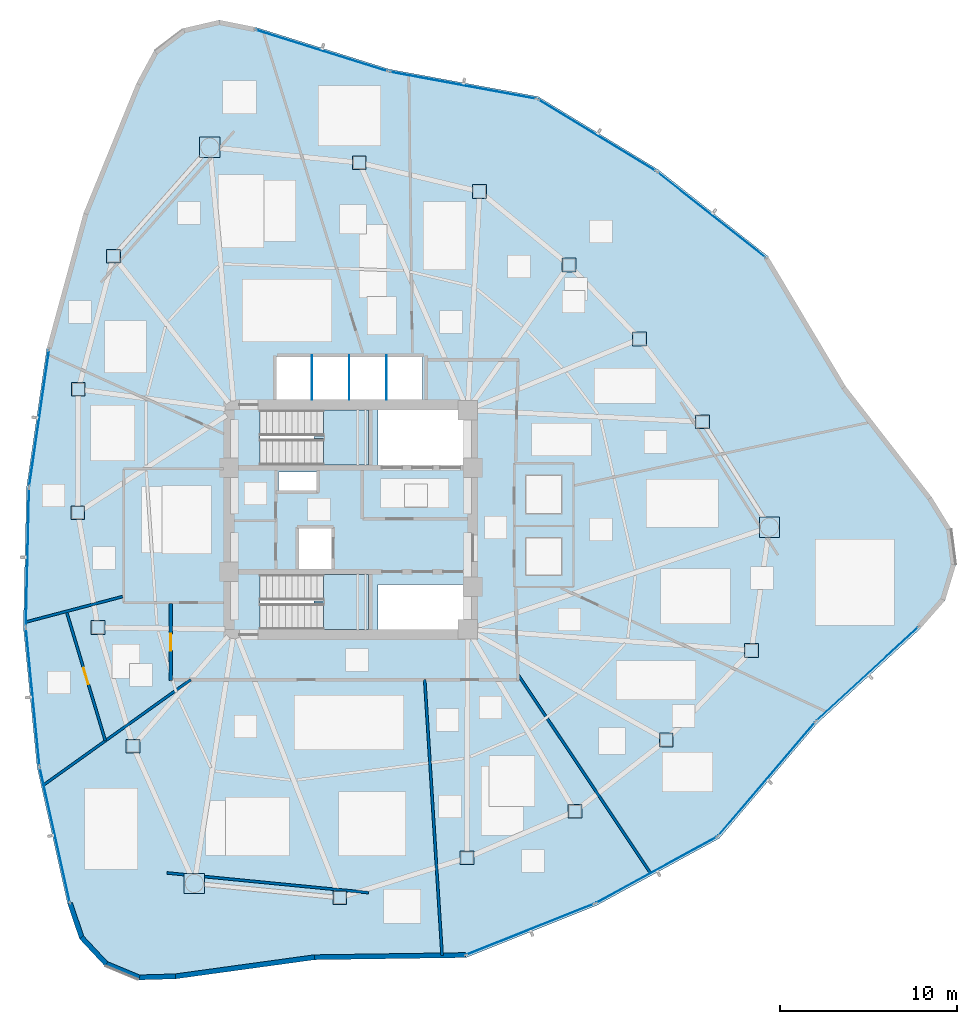
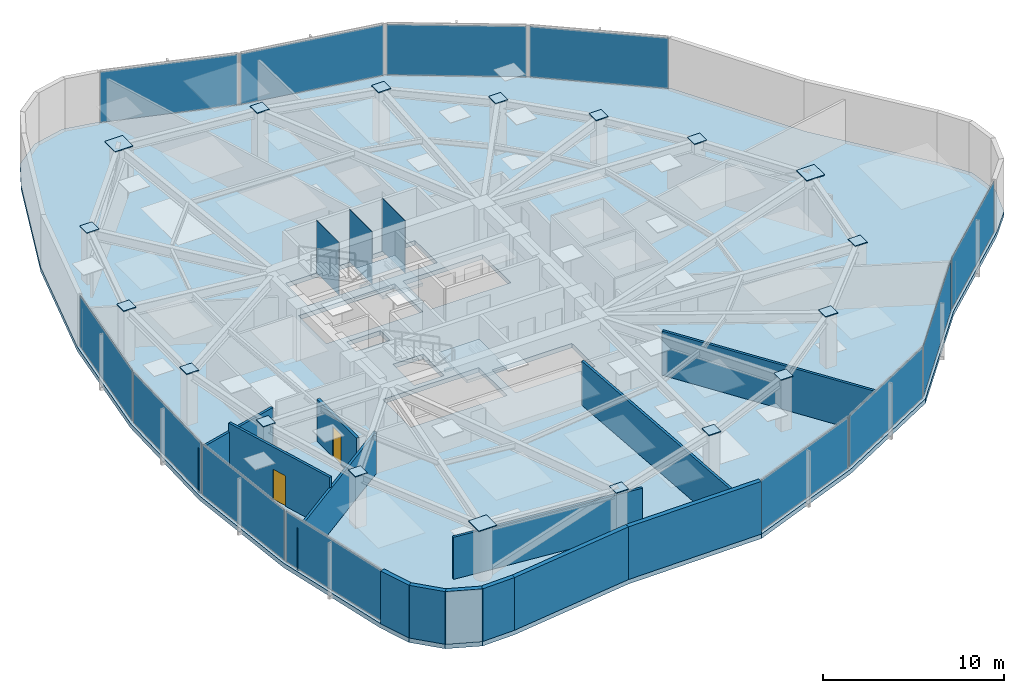
# One storey, part 10 of 16: 33 plates, 13 walls, 3 slabs, 2 doors, 2 openings, 14 elements without a shape of their own.
"""IFC4 building model written with IfcOpenShell, lengths in metres."""

from ifc_helpers import new_model, si_unit, direction, frame, frame_2d, origin, origin_2d, place, context, subcontext, project, spatial, polyline, rectangle, outline, extrude, source, transform, mapped, material, layer, layer_set, type_object, type_shapes, element, fill, aggregate, save


model = new_model("IFC4")

# Units and contexts
model_context = context("Model", 3, precision=1e-05, world=origin(), true_north=direction((0.0, 1.0)))
body_context = subcontext(model_context, "Body", "Model", "MODEL_VIEW")
ifc_project = project(units=[si_unit("LENGTHUNIT", "METRE"), si_unit("AREAUNIT", "SQUARE_METRE"), si_unit("VOLUMEUNIT", "CUBIC_METRE"), si_unit("PLANEANGLEUNIT", "RADIAN"), si_unit("MASSUNIT", "GRAM", prefix="KILO")], contexts=[model_context])

# Site, building, storey
site_placement = place(None, origin())
site = spatial("IfcSite", under=ifc_project, at=site_placement, CompositionType="ELEMENT")
building_placement = place(site_placement, origin())
building = spatial("IfcBuilding", under=site, at=building_placement, Name="Tavelor Broadcast Tower", CompositionType="ELEMENT")
storey_placement = place(building_placement, frame((0.0, 0.0, 138.699951171875)))
storey = spatial("IfcBuildingStorey", under=building, at=storey_placement, Name="L32", CompositionType="ELEMENT", Elevation=138.699951171875)

# Stair, slab
ifc_material_1 = material(Name="Concrete C40/50", Category="concrete")
stair_type = type_object("IfcStairType", Name="Reinforced Concrete Protected Dogleg Stair 1450 mm", PredefinedType="HALF_TURN_STAIR", material=ifc_material_1)
stair_1_placement = place(storey_placement, origin())
stair_1 = element("IfcStair", 1, at=stair_1_placement, inside=storey, type_object=stair_type, Name="L32 Protected Core Exit Stair ST1", PredefinedType="HALF_TURN_STAIR")
ifc_layer_1 = layer(ifc_material_1, 0.199951171875)
ifc_layer_set_1 = layer_set([ifc_layer_1], Name="Concrete C40/50")
slab_type_1 = type_object("IfcSlabType", Name="Reinforced Concrete Stair Half-Landing Slab 200 mm", PredefinedType="LANDING", material=ifc_layer_set_1)
slab_1_placement = place(storey_placement, frame((0.0, 0.0, 1.72509765625)))
slab_1 = element("IfcSlab", 2, at=slab_1_placement, type_object=slab_type_1, Name="ST1 landing 1", PredefinedType="LANDING", context=body_context, shape_type="SweptSolid", body=[
    extrude(outline(polyline([(48.445068359375, 49.590087890625), (48.445068359375, 48.094970703125), (51.0048828125, 48.094970703125), (51.0048828125, 51.205078125), (48.445068359375, 51.205078125), (48.445068359375, 49.7099609375), (47.905029296875, 49.7099609375), (47.905029296875, 49.590087890625), (48.445068359375, 49.590087890625)])), origin(), (0.0, 0.0, 1.0), 0.199951171875),
])
aggregate(stair_1, [slab_1])

stair_2_placement = place(storey_placement, origin())
stair_2 = element("IfcStair", 3, at=stair_2_placement, inside=storey, type_object=stair_type, Name="L32 Protected Core Exit Stair ST2", PredefinedType="HALF_TURN_STAIR")
slab_2_placement = place(storey_placement, frame((0.0, 0.0, 1.72509765625)))
slab_2 = element("IfcSlab", 4, at=slab_2_placement, type_object=slab_type_1, Name="ST2 landing 1", PredefinedType="LANDING", context=body_context, shape_type="SweptSolid", body=[
    extrude(outline(polyline([(48.445068359375, 40.2900390625), (48.445068359375, 38.794921875), (51.0048828125, 38.794921875), (51.0048828125, 41.905029296875), (48.445068359375, 41.905029296875), (48.445068359375, 40.409912109375), (47.905029296875, 40.409912109375), (47.905029296875, 40.2900390625), (48.445068359375, 40.2900390625)])), origin(), (0.0, 0.0, 1.0), 0.199951171875),
])
aggregate(stair_2, [slab_2])

# Slab
ifc_layer_2 = layer(ifc_material_1, 0.300048828125)
ifc_layer_set_2 = layer_set([ifc_layer_2], Name="Concrete C40/50")
slab_type_2 = type_object("IfcSlabType", Name="Tower Composite Floor Slab 300 mm", PredefinedType="FLOOR", material=ifc_layer_set_2)
slab_3_placement = place(storey_placement, frame((0.0, 0.0, -0.300048828125)))
element("IfcSlab", 5, at=slab_3_placement, inside=storey, type_object=slab_type_2, Name="L32 Structural Floor Slab", PredefinedType="FLOOR", context=body_context, shape_type="SweptSolid", body=[
    extrude(outline(polyline([(44.592529296875, 72.867919921875), (42.547607421875, 73.274658203125), (40.5166015625, 72.8037109375), (38.859130859375, 71.538818359375), (37.868896484375, 69.703857421875), (34.873291015625, 62.354736328125), (32.7890625, 54.697021484375), (31.64697265625, 46.843505859375), (31.46337890625, 38.9091796875), (32.241455078125, 31.01123046875), (33.969482421875, 23.265380859375), (34.6396484375, 21.291015625), (36.06298828125, 19.767578125), (37.9873046875, 18.964599609375), (40.0712890625, 19.024658203125), (47.93359375, 20.10498046875), (56.501708984375, 20.228515625), (63.874267578125, 23.166259765625), (70.837158203125, 26.974365234375), (76.393798828125, 33.497314453125), (82.23779296875, 38.86669921875), (83.61279296875, 40.434326171875), (84.220458984375, 42.4287109375), (83.953857421875, 44.49658203125), (82.859619140625, 46.271484375), (77.992919921875, 52.540283203125), (73.601806640625, 59.898681640625), (67.37158203125, 64.814697265625), (60.592041015625, 68.940673828125), (52.164794921875, 70.491455078125), (44.592529296875, 72.867919921875)]), holes=[polyline([(56.60009765625, 41.35009765625), (56.60009765625, 38.800048828125), (51.52001953125, 38.800048828125), (51.52001953125, 41.35009765625), (56.60009765625, 41.35009765625)]), polyline([(50.99609375, 38.803955078125), (44.85400390625, 38.803955078125), (44.85400390625, 41.89599609375), (50.99609375, 41.89599609375), (50.99609375, 38.803955078125)]), polyline([(47.050048828125, 42.199951171875), (47.050048828125, 44.550048828125), (48.949951171875, 44.550048828125), (48.949951171875, 42.199951171875), (47.050048828125, 42.199951171875)]), polyline([(48.050048828125, 46.64990234375), (45.89990234375, 46.64990234375), (45.89990234375, 47.699951171875), (48.050048828125, 47.699951171875), (48.050048828125, 46.64990234375)]), polyline([(50.99609375, 48.10400390625), (44.85400390625, 48.10400390625), (44.85400390625, 51.196044921875), (50.99609375, 51.196044921875), (50.99609375, 48.10400390625)]), polyline([(56.60009765625, 48.10009765625), (51.52001953125, 48.10009765625), (51.52001953125, 51.199951171875), (56.60009765625, 51.199951171875), (56.60009765625, 48.10009765625)]), polyline([(54.050048828125, 51.800048828125), (45.800048828125, 51.800048828125), (45.800048828125, 54.25), (54.050048828125, 54.25), (54.050048828125, 51.800048828125)])]), origin(), (0.0, 0.0, 1.0), 0.300048828125),
])

# Plates
ifc_material_2 = material(Name="Steel S460", Category="steel")
ifc_layer_3 = layer(ifc_material_2, 0.050048828125)
ifc_layer_set_3 = layer_set([ifc_layer_3], Name="Steel S460")
plate_type_1 = type_object("IfcPlateType", Name="Tube Hollow-End Cap Plate KN05 700x700x50", PredefinedType="USERDEFINED", material=ifc_layer_set_3)
shared_shape_1 = source(origin(), body_context, "Body", "SweptSolid", [
    extrude(rectangle(XDim=1.14697265625, YDim=1.14697265625, at=origin_2d()), origin(), (0.0, 0.0, 1.0), 0.054931640625),
])
for number, where, z_axis, x_axis, name in (
    (6, (42.01123046875, 66.080078125, 3.5224609375), (0.0, 0.0, 1.0), (1.0, 0.0, 0.0), "L32 Hollow End Cap Plate KN05 #909"),
    (7, (41.138671875, 24.423828125, 3.5224609375), (0.0, 0.0, 1.0), (1.0, 0.0, 0.0), "L32 Hollow End Cap Plate KN05 #915"),
    (8, (73.676025390625, 44.57958984375, 3.5224609375), (0.0, 0.0, 1.0), (1.0, 0.0, 0.0), "L32 Hollow End Cap Plate KN05 #921"),
):
    element("IfcPlate", number, at=place(storey_placement, frame(where, z_axis=z_axis, x_axis=x_axis)), inside=storey, type_object=plate_type_1, Name=name, ObjectType="CAP PLATE", PredefinedType="USERDEFINED", context=body_context, shape_type="MappedRepresentation", body=[
        mapped(shared_shape_1, transform((0.0, 0.0, 0.0), scale=1.0)),
    ])
shared_shape_2 = source(origin(), body_context, "Body", "SweptSolid", [
    extrude(rectangle(XDim=0.780029296875, YDim=0.780029296875, at=origin_2d()), origin(), (0.0, 0.0, 1.0), 0.054931640625),
])
type_shapes(plate_type_1, [shared_shape_1, shared_shape_2])
for number, where, z_axis, x_axis, name in (
    (9, (36.567626953125, 59.91064453125, 3.5224609375), (0.0, 0.0, 1.0), (1.0, 0.0, 0.0), "L32 Hollow End Cap Plate KN05 #910"),
    (10, (34.5751953125, 52.37939453125, 3.5224609375), (0.0, 0.0, 1.0), (1.0, 0.0, 0.0), "L32 Hollow End Cap Plate KN05 #911"),
    (11, (34.54638671875, 45.399169921875, 3.5224609375), (0.0, 0.0, 1.0), (1.0, 0.0, 0.0), "L32 Hollow End Cap Plate KN05 #912"),
    (12, (35.680908203125, 38.89990234375, 3.5224609375), (0.0, 0.0, 1.0), (1.0, 0.0, 0.0), "L32 Hollow End Cap Plate KN05 #913"),
    (13, (37.668212890625, 32.1904296875, 3.5224609375), (0.0, 0.0, 1.0), (1.0, 0.0, 0.0), "L32 Hollow End Cap Plate KN05 #914"),
    (14, (49.366455078125, 23.618896484375, 3.5224609375), (0.0, 0.0, 1.0), (1.0, 0.0, 0.0), "L32 Hollow End Cap Plate KN05 #916"),
    (15, (56.56103515625, 25.872802734375, 3.5224609375), (0.0, 0.0, 1.0), (1.0, 0.0, 0.0), "L32 Hollow End Cap Plate KN05 #917"),
    (16, (62.669189453125, 28.503173828125, 3.5224609375), (0.0, 0.0, 1.0), (1.0, 0.0, 0.0), "L32 Hollow End Cap Plate KN05 #918"),
    (17, (67.84228515625, 32.53173828125, 3.5224609375), (0.0, 0.0, 1.0), (1.0, 0.0, 0.0), "L32 Hollow End Cap Plate KN05 #919"),
    (18, (72.6591796875, 37.607421875, 3.5224609375), (0.0, 0.0, 1.0), (1.0, 0.0, 0.0), "L32 Hollow End Cap Plate KN05 #920"),
    (19, (69.885986328125, 50.544189453125, 3.5224609375), (0.0, 0.0, 1.0), (1.0, 0.0, 0.0), "L32 Hollow End Cap Plate KN05 #922"),
    (20, (66.322021484375, 55.228759765625, 3.5224609375), (0.0, 0.0, 1.0), (1.0, 0.0, 0.0), "L32 Hollow End Cap Plate KN05 #923"),
    (21, (62.330810546875, 59.416259765625, 3.5224609375), (0.0, 0.0, 1.0), (1.0, 0.0, 0.0), "L32 Hollow End Cap Plate KN05 #924"),
    (22, (57.276611328125, 63.568359375, 3.5224609375), (0.0, 0.0, 1.0), (1.0, 0.0, 0.0), "L32 Hollow End Cap Plate KN05 #925"),
    (23, (50.472412109375, 65.2021484375, 3.5224609375), (0.0, 0.0, 1.0), (1.0, 0.0, 0.0), "L32 Hollow End Cap Plate KN05 #926"),
):
    element("IfcPlate", number, at=place(storey_placement, frame(where, z_axis=z_axis, x_axis=x_axis)), inside=storey, type_object=plate_type_1, Name=name, ObjectType="CAP PLATE", PredefinedType="USERDEFINED", context=body_context, shape_type="MappedRepresentation", body=[
        mapped(shared_shape_2, transform((0.0, 0.0, 0.0), scale=1.0)),
    ])
ifc_material_3 = material(Name="Steel S355", Category="steel")
ifc_layer_4 = layer(ifc_material_3, 0.011962890625)
ifc_layer_set_4 = layer_set([ifc_layer_4], Name="Steel S355")
plate_type_2 = type_object("IfcPlateType", Name="Hoistway Steel Separator Screen 12 mm", PredefinedType="SHEET", material=ifc_layer_set_4)
shared_shape_3 = source(origin(), body_context, "Body", "SweptSolid", [
    extrude(rectangle(XDim=0.02001953125, YDim=2.52001953125, at=origin_2d()), origin(), (0.0, 0.0, 1.0), 3.550048828125),
])
type_shapes(plate_type_2, [shared_shape_3])
for number, where, z_axis, x_axis, name in (
    (24, (47.800048828125, 53.0400390625, 0.0), (0.0, 0.0, 1.0), (1.0, 0.0, 0.0), "L32 High-Rise Hoistway Separator Screen 1"),
    (25, (49.89990234375, 53.0400390625, 0.0), (0.0, 0.0, 1.0), (1.0, 0.0, 0.0), "L32 High-Rise Hoistway Separator Screen 2"),
    (26, (52.0, 53.0400390625, 0.0), (0.0, 0.0, 1.0), (1.0, 0.0, 0.0), "L32 High-Rise Hoistway Separator Screen 3"),
):
    element("IfcPlate", number, at=place(storey_placement, frame(where, z_axis=z_axis, x_axis=x_axis)), inside=storey, type_object=plate_type_2, Name=name, PredefinedType="SHEET", context=body_context, shape_type="MappedRepresentation", body=[
        mapped(shared_shape_3, transform((0.0, 0.0, 0.0), scale=1.0)),
    ])

# Curtain wall, plate
ifc_material_4 = material(Name="Architectural Anodized Aluminium", Category="aluminium")
ifc_layer_5 = layer(ifc_material_4, 0.18994140625)
ifc_layer_set_5 = layer_set([ifc_layer_5], Name="Architectural Anodized Aluminium")
curtain_wall_type = type_object("IfcCurtainWallType", Name="Tower Mid-Zone Acoustic Curtain Wall CW03", PredefinedType="NOTDEFINED", material=ifc_layer_set_5)
curtain_wall_1_placement = place(storey_placement, origin())
curtain_wall_1 = element("IfcCurtainWall", 27, at=curtain_wall_1_placement, inside=storey, type_object=curtain_wall_type, Name="L32 Curtain Wall CW03 Run 332", PredefinedType="NOTDEFINED")
ifc_material_5 = material(Name="Solar Control Double Glazing 30 mm", Category="glass")
ifc_layer_6 = layer(ifc_material_5, 0.030029296875)
ifc_layer_set_6 = layer_set([ifc_layer_6], Name="Solar Control Double Glazing 30 mm")
plate_type_3 = type_object("IfcPlateType", Name="CW03 Insulated Vision Glazing Panel 30 mm", PredefinedType="CURTAIN_PANEL", material=ifc_layer_set_6)
shared_shape_4 = source(origin(), body_context, "Body", "SweptSolid", [
    extrude(rectangle(XDim=7.7861328125, YDim=0.030029296875, at=origin_2d()), origin(), (0.0, 0.0, 1.0), 3.4140625),
])
plate_1_placement = place(storey_placement, frame((79.220703125, 36.28466796875, 0.068115234375), z_axis=(0.0, 0.0, 1.0), x_axis=(0.736371371269, 0.676577566563, 0.0)))
plate_1 = element("IfcPlate", 28, at=plate_1_placement, type_object=plate_type_3, Name="CW03 panel 1.1", PredefinedType="CURTAIN_PANEL", context=body_context, shape_type="MappedRepresentation", body=[
    mapped(shared_shape_4, transform((0.0, 0.0, 0.0), scale=1.0)),
])
aggregate(curtain_wall_1, [plate_1])

curtain_wall_2_placement = place(storey_placement, origin())
curtain_wall_2 = element("IfcCurtainWall", 29, at=curtain_wall_2_placement, inside=storey, type_object=curtain_wall_type, Name="L32 Curtain Wall CW03 Run 325", PredefinedType="NOTDEFINED")
shared_shape_5 = source(origin(), body_context, "Body", "SweptSolid", [
    extrude(rectangle(XDim=7.768310546875, YDim=0.030029296875, at=origin_2d()), origin(), (0.0, 0.0, 1.0), 3.4140625),
])
plate_2_placement = place(storey_placement, frame((32.357666015625, 50.757568359375, 0.068115234375), z_axis=(0.0, 0.0, 1.0), x_axis=(-0.143923626852, -0.989588798256, 0.0)))
plate_2 = element("IfcPlate", 30, at=plate_2_placement, type_object=plate_type_3, Name="CW03 panel 1.1", PredefinedType="CURTAIN_PANEL", context=body_context, shape_type="MappedRepresentation", body=[
    mapped(shared_shape_5, transform((0.0, 0.0, 0.0), scale=1.0)),
])
aggregate(curtain_wall_2, [plate_2])

curtain_wall_3_placement = place(storey_placement, origin())
curtain_wall_3 = element("IfcCurtainWall", 31, at=curtain_wall_3_placement, inside=storey, type_object=curtain_wall_type, Name="L32 Curtain Wall CW03 Run 326", PredefinedType="NOTDEFINED")
shared_shape_6 = source(origin(), body_context, "Body", "SweptSolid", [
    extrude(rectangle(XDim=7.75341796875, YDim=0.030029296875, at=origin_2d()), origin(), (0.0, 0.0, 1.0), 3.4140625),
])
plate_3_placement = place(storey_placement, frame((31.695068359375, 42.873291015625, 0.068115234375), z_axis=(0.0, 0.0, 1.0), x_axis=(-0.023119896074, -0.999732699478, 0.0)))
plate_3 = element("IfcPlate", 32, at=plate_3_placement, type_object=plate_type_3, Name="CW03 panel 1.1", PredefinedType="CURTAIN_PANEL", context=body_context, shape_type="MappedRepresentation", body=[
    mapped(shared_shape_6, transform((0.0, 0.0, 0.0), scale=1.0)),
])
aggregate(curtain_wall_3, [plate_3])

curtain_wall_4_placement = place(storey_placement, origin())
curtain_wall_4 = element("IfcCurtainWall", 33, at=curtain_wall_4_placement, inside=storey, type_object=curtain_wall_type, Name="L32 Curtain Wall CW03 Run 327", PredefinedType="NOTDEFINED")
shared_shape_7 = source(origin(), body_context, "Body", "SweptSolid", [
    extrude(rectangle(XDim=7.753173828125, YDim=0.030029296875, at=origin_2d()), origin(), (0.0, 0.0, 1.0), 3.4140625),
])
plate_4_placement = place(storey_placement, frame((31.99169921875, 34.97412109375, 0.068115234375), z_axis=(0.0, 0.0, 1.0), x_axis=(0.098032743897, -0.995183189731, 0.0)))
plate_4 = element("IfcPlate", 34, at=plate_4_placement, type_object=plate_type_3, Name="CW03 panel 1.1", PredefinedType="CURTAIN_PANEL", context=body_context, shape_type="MappedRepresentation", body=[
    mapped(shared_shape_7, transform((0.0, 0.0, 0.0), scale=1.0)),
])
aggregate(curtain_wall_4, [plate_4])

curtain_wall_5_placement = place(storey_placement, origin())
curtain_wall_5 = element("IfcCurtainWall", 35, at=curtain_wall_5_placement, inside=storey, type_object=curtain_wall_type, Name="L32 Curtain Wall CW03 Run 328", PredefinedType="NOTDEFINED")
shared_shape_8 = source(origin(), body_context, "Body", "SweptSolid", [
    extrude(rectangle(XDim=7.76904296875, YDim=0.030029296875, at=origin_2d()), origin(), (0.0, 0.0, 1.0), 3.4140625),
])
plate_5_placement = place(storey_placement, frame((33.243896484375, 27.1611328125, 0.068115234375), z_axis=(0.0, 0.0, 1.0), x_axis=(0.217734039623, -0.976008139305, 0.0)))
plate_5 = element("IfcPlate", 36, at=plate_5_placement, type_object=plate_type_3, Name="CW03 panel 1.1", PredefinedType="CURTAIN_PANEL", context=body_context, shape_type="MappedRepresentation", body=[
    mapped(shared_shape_8, transform((0.0, 0.0, 0.0), scale=1.0)),
])
aggregate(curtain_wall_5, [plate_5])

curtain_wall_6_placement = place(storey_placement, origin())
curtain_wall_6 = element("IfcCurtainWall", 37, at=curtain_wall_6_placement, inside=storey, type_object=curtain_wall_type, Name="L32 Curtain Wall CW03 Run 329", PredefinedType="NOTDEFINED")
shared_shape_9 = source(origin(), body_context, "Body", "SweptSolid", [
    extrude(rectangle(XDim=7.750732421875, YDim=0.030029296875, at=origin_2d()), origin(), (0.0, 0.0, 1.0), 3.4140625),
])
plate_6_placement = place(storey_placement, frame((60.13720703125, 21.827880859375, 0.068115234375), z_axis=(0.0, 0.0, 1.0), x_axis=(0.928967313239, 0.370161763197, 0.0)))
plate_6 = element("IfcPlate", 38, at=plate_6_placement, type_object=plate_type_3, Name="CW03 panel 1.1", PredefinedType="CURTAIN_PANEL", context=body_context, shape_type="MappedRepresentation", body=[
    mapped(shared_shape_9, transform((0.0, 0.0, 0.0), scale=1.0)),
])
aggregate(curtain_wall_6, [plate_6])

curtain_wall_7_placement = place(storey_placement, origin())
curtain_wall_7 = element("IfcCurtainWall", 39, at=curtain_wall_7_placement, inside=storey, type_object=curtain_wall_type, Name="L32 Curtain Wall CW03 Run 330", PredefinedType="NOTDEFINED")
shared_shape_10 = source(origin(), body_context, "Body", "SweptSolid", [
    extrude(rectangle(XDim=7.73583984375, YDim=0.030029296875, at=origin_2d()), origin(), (0.0, 0.0, 1.0), 3.4140625),
])
plate_7_placement = place(storey_placement, frame((67.28076171875, 25.18896484375, 0.068115234375), z_axis=(0.0, 0.0, 1.0), x_axis=(0.877360025931, 0.479832663434, 0.0)))
plate_7 = element("IfcPlate", 40, at=plate_7_placement, type_object=plate_type_3, Name="CW03 panel 1.1", PredefinedType="CURTAIN_PANEL", context=body_context, shape_type="MappedRepresentation", body=[
    mapped(shared_shape_10, transform((0.0, 0.0, 0.0), scale=1.0)),
])
aggregate(curtain_wall_7, [plate_7])

curtain_wall_8_placement = place(storey_placement, origin())
curtain_wall_8 = element("IfcCurtainWall", 41, at=curtain_wall_8_placement, inside=storey, type_object=curtain_wall_type, Name="L32 Curtain Wall CW03 Run 334", PredefinedType="NOTDEFINED")
plate_8_placement = place(storey_placement, frame((63.91650390625, 66.753662109375, 0.068115234375), z_axis=(0.0, 0.0, 1.0), x_axis=(-0.854233142252, 0.519890121736, 0.0)))
plate_8 = element("IfcPlate", 42, at=plate_8_placement, type_object=plate_type_3, Name="CW03 panel 1.1", PredefinedType="CURTAIN_PANEL", context=body_context, shape_type="MappedRepresentation", body=[
    mapped(shared_shape_10, transform((0.0, 0.0, 0.0), scale=1.0)),
])
aggregate(curtain_wall_8, [plate_8])

curtain_wall_9_placement = place(storey_placement, origin())
curtain_wall_9 = element("IfcCurtainWall", 43, at=curtain_wall_9_placement, inside=storey, type_object=curtain_wall_type, Name="L32 Curtain Wall CW03 Run 331", PredefinedType="NOTDEFINED")
shared_shape_11 = source(origin(), body_context, "Body", "SweptSolid", [
    extrude(rectangle(XDim=8.3857421875, YDim=0.030029296875, at=origin_2d()), origin(), (0.0, 0.0, 1.0), 3.4140625),
])
plate_9_placement = place(storey_placement, frame((73.52001953125, 30.339599609375, 0.068115234375), z_axis=(0.0, 0.0, 1.0), x_axis=(0.648488367131, 0.761224564564, 0.0)))
plate_9 = element("IfcPlate", 44, at=plate_9_placement, type_object=plate_type_3, Name="CW03 panel 1.1", PredefinedType="CURTAIN_PANEL", context=body_context, shape_type="MappedRepresentation", body=[
    mapped(shared_shape_11, transform((0.0, 0.0, 0.0), scale=1.0)),
])
aggregate(curtain_wall_9, [plate_9])

curtain_wall_10_placement = place(storey_placement, origin())
curtain_wall_10 = element("IfcCurtainWall", 45, at=curtain_wall_10_placement, inside=storey, type_object=curtain_wall_type, Name="L32 Curtain Wall CW03 Run 333", PredefinedType="NOTDEFINED")
shared_shape_12 = source(origin(), body_context, "Body", "SweptSolid", [
    extrude(rectangle(XDim=7.7509765625, YDim=0.030029296875, at=origin_2d()), origin(), (0.0, 0.0, 1.0), 3.4140625),
])
plate_10_placement = place(storey_placement, frame((70.39892578125, 62.24755859375, 0.068115234375), z_axis=(0.0, 0.0, 1.0), x_axis=(-0.785043392439, 0.619440773591, 0.0)))
plate_10 = element("IfcPlate", 46, at=plate_10_placement, type_object=plate_type_3, Name="CW03 panel 1.1", PredefinedType="CURTAIN_PANEL", context=body_context, shape_type="MappedRepresentation", body=[
    mapped(shared_shape_12, transform((0.0, 0.0, 0.0), scale=1.0)),
])
aggregate(curtain_wall_10, [plate_10])

curtain_wall_11_placement = place(storey_placement, origin())
curtain_wall_11 = element("IfcCurtainWall", 47, at=curtain_wall_11_placement, inside=storey, type_object=curtain_wall_type, Name="L32 Curtain Wall CW03 Run 335", PredefinedType="NOTDEFINED")
shared_shape_13 = source(origin(), body_context, "Body", "SweptSolid", [
    extrude(rectangle(XDim=8.385498046875, YDim=0.030029296875, at=origin_2d()), origin(), (0.0, 0.0, 1.0), 3.4140625),
])
plate_11_placement = place(storey_placement, frame((56.336181640625, 69.581298828125, 0.068115234375), z_axis=(0.0, 0.0, 1.0), x_axis=(-0.983487283628, 0.180977244265, 0.0)))
plate_11 = element("IfcPlate", 48, at=plate_11_placement, type_object=plate_type_3, Name="CW03 panel 1.1", PredefinedType="CURTAIN_PANEL", context=body_context, shape_type="MappedRepresentation", body=[
    mapped(shared_shape_13, transform((0.0, 0.0, 0.0), scale=1.0)),
])
aggregate(curtain_wall_11, [plate_11])

curtain_wall_12_placement = place(storey_placement, origin())
curtain_wall_12 = element("IfcCurtainWall", 49, at=curtain_wall_12_placement, inside=storey, type_object=curtain_wall_type, Name="L32 Curtain Wall CW03 Run 336", PredefinedType="NOTDEFINED")
shared_shape_14 = source(origin(), body_context, "Body", "SweptSolid", [
    extrude(rectangle(XDim=7.786376953125, YDim=0.030029296875, at=origin_2d()), origin(), (0.0, 0.0, 1.0), 3.4140625),
])
type_shapes(plate_type_3, [shared_shape_4, shared_shape_5, shared_shape_6, shared_shape_7, shared_shape_8, shared_shape_9, shared_shape_10, shared_shape_11, shared_shape_12, shared_shape_13, shared_shape_14])
plate_12_placement = place(storey_placement, frame((48.33740234375, 71.5458984375, 0.068115234375), z_axis=(0.0, 0.0, 1.0), x_axis=(-0.954117217325, 0.299433357535, 0.0)))
plate_12 = element("IfcPlate", 50, at=plate_12_placement, type_object=plate_type_3, Name="CW03 panel 1.1", PredefinedType="CURTAIN_PANEL", context=body_context, shape_type="MappedRepresentation", body=[
    mapped(shared_shape_14, transform((0.0, 0.0, 0.0), scale=1.0)),
])
aggregate(curtain_wall_12, [plate_12])

# Wall, opening, door
ifc_material_6 = material(Name="Calcium Silicate Fire Board 180 mm", Category="gypsum")
ifc_layer_7 = layer(ifc_material_6, 0.179931640625)
ifc_layer_set_7 = layer_set([ifc_layer_7], Name="Calcium Silicate Fire Board 180 mm")
wall_type_1 = type_object("IfcWallType", Name="Fire-Rated Corridor Partition Wall 180 mm", PredefinedType="PARTITIONING", material=ifc_layer_set_7)
wall_1_placement = place(storey_placement, frame((39.800048828125, 35.89990234375, 0.0), z_axis=(0.0, 0.0, 1.0), x_axis=(0.0, 1.0, 0.0)))
wall_1 = element("IfcWall", 51, at=wall_1_placement, inside=storey, type_object=wall_type_1, Name="L32 Corridor Compartment Wall 05", PredefinedType="PARTITIONING", context=body_context, shape_type="SweptSolid", body=[
    extrude(rectangle(XDim=4.35009765625, YDim=0.179931640625, at=frame_2d((2.175048828125, 0.0))), origin(), (0.0, 0.0, 1.0), 2.8349609375),
])
opening_1_placement = place(wall_1_placement, frame((1.699951171875, 0.0, 0.0)))
opening_1 = element("IfcOpeningElement", 52, at=opening_1_placement, cuts=wall_1, Name="Opening DR18", PredefinedType="OPENING", context=body_context, shape_type="SweptSolid", body=[
    extrude(rectangle(XDim=0.949951171875, YDim=2.050048828125, at=frame_2d((0.47509765625, 1.02490234375))), frame((0.0, 0.10009765625, 0.0), z_axis=(0.0, -1.0, 0.0), x_axis=(1.0, 0.0, 0.0)), (0.0, 0.0, 1.0), 0.199951171875),
])
ifc_material_7 = material(Name="Timber Solid Core Hardwood", Category="wood")
door_type_1 = type_object("IfcDoorType", Name="Corridor Rated Compartment Door 950x2050", OperationType="NOTDEFINED", PredefinedType="DOOR", material=ifc_material_7)
door_1_placement = place(opening_1_placement, origin())
door_1 = element("IfcDoor", 53, at=door_1_placement, inside=storey, type_object=door_type_1, Name="L32 Technical Mail and Post Room Door R9", OperationType="SINGLE_SWING_RIGHT", OverallHeight=2.050048828125, OverallWidth=0.949951171875, PredefinedType="DOOR", context=body_context, shape_type="SweptSolid", body=[
    extrude(rectangle(XDim=0.949951171875, YDim=2.050048828125, at=frame_2d((0.47509765625, 1.02490234375))), frame((0.0, 0.02490234375, 0.0), z_axis=(0.0, -1.0, 0.0), x_axis=(1.0, 0.0, 0.0)), (0.0, 0.0, 1.0), 0.050048828125),
])
fill(opening_1, door_1)

# Walls
ifc_material_8 = material(Name="Precast Concrete C40/50", Category="concrete")
ifc_layer_8 = layer(ifc_material_8, 0.280029296875)
ifc_layer_set_8 = layer_set([ifc_layer_8], Name="Precast Concrete C40/50")
wall_type_2 = type_object("IfcWallType", Name="Insulated Precast Terracotta Facade Wall 280 mm", PredefinedType="STANDARD", material=ifc_layer_set_8)
wall_2_placement = place(storey_placement, frame((34.10302734375, 23.30712890625, 0.0), z_axis=(0.0, 0.0, 1.0), x_axis=(0.321468503967, -0.9469202717, 0.0)))
element("IfcWall", 54, at=wall_2_placement, inside=storey, type_object=wall_type_2, Name="L32 Rounded Corner Structural Cladding Pier 11", PredefinedType="STANDARD", context=body_context, shape_type="SweptSolid", body=[
    extrude(rectangle(XDim=2.06640625, YDim=0.280029296875, at=frame_2d((1.033203125, 0.0))), origin(), (0.0, 0.0, 1.0), 3.550048828125),
])
for number, where, z_axis, x_axis, name in (
    (55, (34.752197265625, 21.37548828125, 0.0), (0.0, 0.0, 1.0), (0.682635704766, -0.730758848444, 0.0), "L32 Rounded Corner Structural Cladding Pier 12"),
    (56, (36.130859375, 19.890869140625, 0.0), (0.0, 0.0, 1.0), (0.922876420561, -0.385096237806, 0.0), "L32 Rounded Corner Structural Cladding Pier 13"),
):
    element("IfcWall", number, at=place(storey_placement, frame(where, z_axis=z_axis, x_axis=x_axis)), inside=storey, type_object=wall_type_2, Name=name, PredefinedType="STANDARD", context=body_context, shape_type="SweptSolid", body=[
        extrude(rectangle(XDim=2.0546875, YDim=0.280029296875, at=frame_2d((1.02734375, 0.0))), origin(), (0.0, 0.0, 1.0), 3.550048828125),
    ])
wall_3_placement = place(storey_placement, frame((37.998291015625, 19.10498046875, 0.0), z_axis=(0.0, 0.0, 1.0), x_axis=(0.999585348395, 0.028794639666, 0.0)))
element("IfcWall", 57, at=wall_3_placement, inside=storey, type_object=wall_type_2, Name="L32 Rounded Corner Structural Cladding Pier 14", PredefinedType="STANDARD", context=body_context, shape_type="SweptSolid", body=[
    extrude(rectangle(XDim=2.077392578125, YDim=0.280029296875, at=frame_2d((1.03857421875, 0.0))), origin(), (0.0, 0.0, 1.0), 3.550048828125),
])
wall_4_placement = place(storey_placement, frame((40.044921875, 19.162353515625, 0.0), z_axis=(0.0, 0.0, 1.0), x_axis=(0.990692791114, 0.136116838173, 0.0)))
element("IfcWall", 58, at=wall_4_placement, inside=storey, type_object=wall_type_2, Name="L32 Rounded Corner Structural Cladding Pier 15", PredefinedType="STANDARD", context=body_context, shape_type="SweptSolid", body=[
    extrude(rectangle(XDim=7.96728515625, YDim=0.280029296875, at=frame_2d((3.983642578125, 0.0))), origin(), (0.0, 0.0, 1.0), 3.550048828125),
])
wall_5_placement = place(storey_placement, frame((47.908203125, 20.244384765625, 0.0), z_axis=(0.0, 0.0, 1.0), x_axis=(0.9998952895, 0.014471006725, 0.0)))
element("IfcWall", 59, at=wall_5_placement, inside=storey, type_object=wall_type_2, Name="L32 Rounded Corner Structural Cladding Pier 16", PredefinedType="STANDARD", context=body_context, shape_type="SweptSolid", body=[
    extrude(rectangle(XDim=8.570556640625, YDim=0.280029296875, at=frame_2d((4.28515625, 0.0))), origin(), (0.0, 0.0, 1.0), 3.550048828125),
])
ifc_material_9 = material(Name="Gypsum Acoustic Plasterboard 150 mm", Category="gypsum")
ifc_layer_9 = layer(ifc_material_9, 0.14990234375)
ifc_layer_set_9 = layer_set([ifc_layer_9], Name="Gypsum Acoustic Plasterboard 150 mm")
wall_type_3 = type_object("IfcWallType", Name="Interior Acoustic Partition Wall 150 mm", PredefinedType="PARTITIONING", material=ifc_layer_set_9)
wall_6_placement = place(storey_placement, frame((39.589111328125, 25.017578125, 0.0), z_axis=(0.0, 0.0, 1.0), x_axis=(0.99524905582, -0.097361783517, 0.0)))
element("IfcWall", 60, at=wall_6_placement, inside=storey, type_object=wall_type_3, Name="L32 Corner Tube Brace Furring Wall 2", PredefinedType="PARTITIONING", context=body_context, shape_type="SweptSolid", body=[
    extrude(rectangle(XDim=11.467041015625, YDim=0.14990234375, at=frame_2d((5.7333984375, 0.0))), origin(), (0.0, 0.0, 1.0), 2.8349609375),
])
wall_7_placement = place(storey_placement, frame((37.080078125, 40.652587890625, 0.0), z_axis=(0.0, 0.0, 1.0), x_axis=(-0.967070072221, -0.254510265833, 0.0)))
element("IfcWall", 61, at=wall_7_placement, inside=storey, type_object=wall_type_3, Name="L32 Radial Compartment Wall 06", PredefinedType="PARTITIONING", context=body_context, shape_type="SweptSolid", body=[
    extrude(rectangle(XDim=5.666259765625, YDim=0.14990234375, at=frame_2d((2.8330078125, 0.0))), origin(), (0.0, 0.0, 1.0), 2.97509765625),
])
wall_8_placement = place(storey_placement, frame((40.93994140625, 35.949951171875, 0.0), z_axis=(0.0, 0.0, 1.0), x_axis=(-0.813525786519, -0.581528842508, 0.0)))
element("IfcWall", 62, at=wall_8_placement, inside=storey, type_object=wall_type_3, Name="L32 Radial Compartment Wall 07", PredefinedType="PARTITIONING", context=body_context, shape_type="SweptSolid", body=[
    extrude(rectangle(XDim=10.248779296875, YDim=0.14990234375, at=frame_2d((5.12451171875, 0.0))), origin(), (0.0, 0.0, 1.0), 2.8349609375),
])
wall_9_placement = place(storey_placement, frame((54.171142578125, 35.949951171875, 0.0), z_axis=(0.0, 0.0, 1.0), x_axis=(0.062994339198, -0.998013884287, 0.0)))
element("IfcWall", 63, at=wall_9_placement, inside=storey, type_object=wall_type_3, Name="L32 Radial Compartment Wall 08", PredefinedType="PARTITIONING", context=body_context, shape_type="SweptSolid", body=[
    extrude(rectangle(XDim=15.641845703125, YDim=0.14990234375, at=frame_2d((7.82080078125, 0.0))), origin(), (0.0, 0.0, 1.0), 2.97509765625),
])
wall_10_placement = place(storey_placement, frame((59.442138671875, 36.250732421875, 0.0), z_axis=(0.0, 0.0, 1.0), x_axis=(0.555320536671, -0.831636399847, 0.0)))
element("IfcWall", 64, at=wall_10_placement, inside=storey, type_object=wall_type_3, Name="L32 Radial Compartment Wall 09", PredefinedType="PARTITIONING", context=body_context, shape_type="SweptSolid", body=[
    extrude(rectangle(XDim=13.529052734375, YDim=0.14990234375, at=frame_2d((6.7646484375, 0.0))), origin(), (0.0, 0.0, 1.0), 2.97509765625),
])

# Wall, opening, door
wall_11_placement = place(storey_placement, frame((33.90185546875, 39.816162109375, 0.0), z_axis=(0.0, 0.0, 1.0), x_axis=(0.288006845978, -0.957628349972, 0.0)))
wall_11 = element("IfcWall", 65, at=wall_11_placement, inside=storey, type_object=wall_type_3, Name="L32 Suite Chord Partition Wall 01", PredefinedType="PARTITIONING", context=body_context, shape_type="SweptSolid", body=[
    extrude(rectangle(XDim=7.64697265625, YDim=0.14990234375, at=frame_2d((3.823486328125, 0.0))), origin(), (0.0, 0.0, 1.0), 3.550048828125),
])
opening_2_placement = place(wall_11_placement, frame((3.348388671875, 0.0, 0.0)))
opening_2 = element("IfcOpeningElement", 66, at=opening_2_placement, cuts=wall_11, Name="Opening DR23", PredefinedType="OPENING", context=body_context, shape_type="SweptSolid", body=[
    extrude(rectangle(XDim=0.949951171875, YDim=2.050048828125, at=frame_2d((0.47509765625, 1.02490234375))), frame((0.0, 0.0849609375, 0.0), z_axis=(0.0, -1.0, 0.0), x_axis=(1.0, 0.0, 0.0)), (0.0, 0.0, 1.0), 0.169921875),
])
door_type_2 = type_object("IfcDoorType", Name="Editorial Room Acoustic Door 950x2050", OperationType="NOTDEFINED", PredefinedType="DOOR", material=ifc_material_7)
door_2_placement = place(opening_2_placement, origin())
door_2 = element("IfcDoor", 67, at=door_2_placement, inside=storey, type_object=door_type_2, Name="L32 Outer Suite Partition Door 1", OperationType="SINGLE_SWING_LEFT", OverallHeight=2.050048828125, OverallWidth=0.949951171875, PredefinedType="DOOR", context=body_context, shape_type="SweptSolid", body=[
    extrude(rectangle(XDim=0.949951171875, YDim=2.050048828125, at=frame_2d((0.47509765625, 1.02490234375))), frame((0.0, 0.02490234375, 0.0), z_axis=(0.0, -1.0, 0.0), x_axis=(1.0, 0.0, 0.0)), (0.0, 0.0, 1.0), 0.050048828125),
])
fill(opening_2, door_2)

save(model, "model.ifc")
